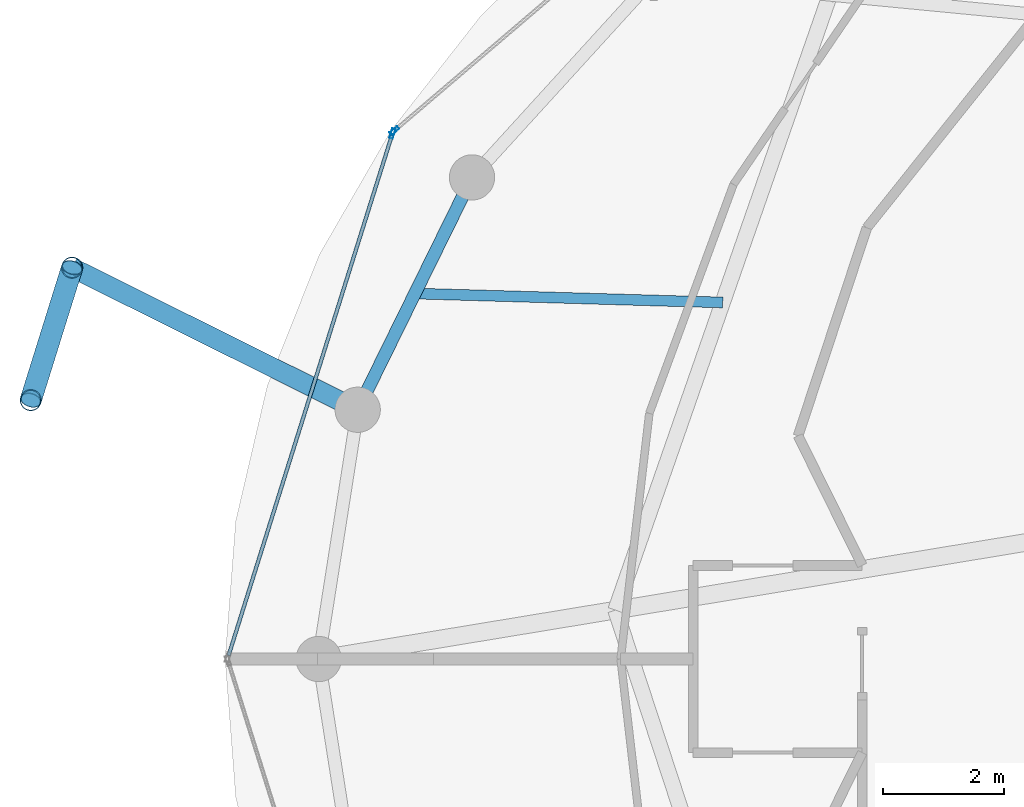
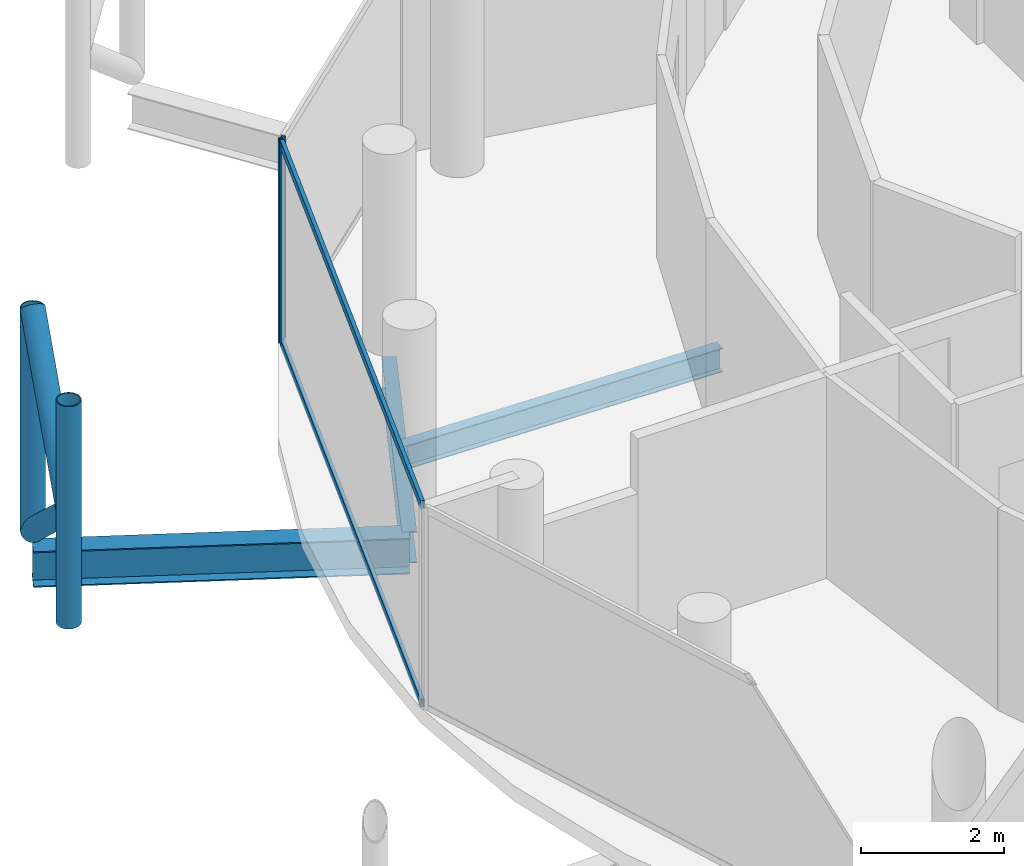
# One storey, part 7 of 24: 8 members, 3 beams, 2 elements without a shape of their own.
"""IFC4 building model written with IfcOpenShell, lengths in metres."""

from ifc_helpers import new_model, si_unit, direction, frame, origin, origin_2d, place, context, subcontext, project, spatial, hollow_rectangle, hollow_circle, i_section, extrude, material, layer, layer_set, material_profile, profile_set, type_object, element, aggregate, save


model = new_model("IFC4")

# Units and contexts
model_context = context("Model", 3, precision=1e-05, world=origin(), true_north=direction((0.0, 1.0)))
body_context = subcontext(model_context, "Body", "Model", "MODEL_VIEW")
ifc_project = project(units=[si_unit("LENGTHUNIT", "METRE"), si_unit("AREAUNIT", "SQUARE_METRE"), si_unit("VOLUMEUNIT", "CUBIC_METRE"), si_unit("PLANEANGLEUNIT", "RADIAN"), si_unit("MASSUNIT", "GRAM", prefix="KILO")], contexts=[model_context])

# Site, building, storey
site_placement = place(None, origin())
site = spatial("IfcSite", under=ifc_project, at=site_placement, CompositionType="ELEMENT")
building_placement = place(site_placement, origin())
building = spatial("IfcBuilding", under=site, at=building_placement, Name="Nuhasar Tower", CompositionType="ELEMENT")
storey_placement = place(building_placement, frame((0.0, 0.0, 297.39990234375)))
storey = spatial("IfcBuildingStorey", under=building, at=storey_placement, Name="L74", CompositionType="ELEMENT", Elevation=297.39990234375)

# Beams
ifc_material_1 = material(Name="Steel S355", Category="steel")
ifc_material_profile_1 = material_profile(ifc_material_1, i_section(OverallWidth=0.177978515625, OverallDepth=0.406005859375, WebThickness=0.0078125, FlangeThickness=0.0126953125, at=origin_2d()), Name="W16X40")
ifc_profile_set_1 = profile_set([ifc_material_profile_1], Name="Steel S355")
beam_type_1 = type_object("IfcBeamType", Name="BM-JST-W16X40", PredefinedType="JOIST", material=ifc_profile_set_1)
beam_1_placement = place(storey_placement, frame((26.739990234375, 32.7041015625, -0.462890625), z_axis=(-0.999579139243, 0.02900938453, 0.0), x_axis=(-0.02900938453, -0.999579139243, 0.0)))
element("IfcBeam", 1, at=beam_1_placement, inside=storey, type_object=beam_type_1, Name="L74 Secondary Floor Joist 07", PredefinedType="JOIST", context=body_context, shape_type="SweptSolid", body=[
    extrude(i_section(OverallWidth=0.177978515625, OverallDepth=0.406005859375, WebThickness=0.0078125, FlangeThickness=0.0126953125, at=origin_2d()), origin(), (0.0, 0.0, 1.0), 5.10009765625),
])
ifc_material_profile_2 = material_profile(ifc_material_1, i_section(OverallWidth=0.2099609375, OverallDepth=0.537109375, WebThickness=0.010986328125, FlangeThickness=0.017333984375, at=origin_2d()), Name="W21X68")
ifc_profile_set_2 = profile_set([ifc_material_profile_2], Name="Steel S355")
beam_type_2 = type_object("IfcBeamType", Name="BM-RING-W21X68", PredefinedType="SPANDREL", material=ifc_profile_set_2)
beam_2_placement = place(storey_placement, frame((22.589111328125, 34.77490234375, -0.52880859375), z_axis=(-0.441533119295, -0.897244952377, 0.0), x_axis=(0.897244952377, -0.441533119295, 0.0)))
element("IfcBeam", 2, at=beam_2_placement, inside=storey, type_object=beam_type_2, Name="L74 Perimeter Ring Spandrel 11", PredefinedType="SPANDREL", context=body_context, shape_type="SweptSolid", body=[
    extrude(i_section(OverallWidth=0.2099609375, OverallDepth=0.537109375, WebThickness=0.010986328125, FlangeThickness=0.017333984375, at=origin_2d()), origin(), (0.0, 0.0, 1.0), 4.28759765625),
])
ifc_material_profile_3 = material_profile(ifc_material_1, i_section(OverallWidth=0.323974609375, OverallDepth=0.611083984375, WebThickness=0.0126953125, FlangeThickness=0.01904296875, at=origin_2d()), Name="W24X104")
ifc_profile_set_3 = profile_set([ifc_material_profile_3], Name="Steel S355")
beam_type_3 = type_object("IfcBeamType", Name="BM-TIE-W24X104", PredefinedType="BEAM", material=ifc_profile_set_3)
beam_3_placement = place(storey_placement, frame((20.696044921875, 30.927978515625, -0.56591796875), z_axis=(-0.895294451274, 0.445474853969, 0.0), x_axis=(-0.445474853969, -0.895294451274, 0.0)))
element("IfcBeam", 3, at=beam_3_placement, inside=storey, type_object=beam_type_3, Name="L74 Exoskeleton Node Tie Beam 06", PredefinedType="BEAM", context=body_context, shape_type="SweptSolid", body=[
    extrude(i_section(OverallWidth=0.323974609375, OverallDepth=0.611083984375, WebThickness=0.0126953125, FlangeThickness=0.01904296875, at=origin_2d()), origin(), (0.0, 0.0, 1.0), 5.281982421875),
])

# Curtain wall, member
ifc_material_2 = material(Name="Aluminium 6063-T6", Category="aluminium")
ifc_layer = layer(ifc_material_2, 0.18994140625)
ifc_layer_set = layer_set([ifc_layer], Name="Aluminium 6063-T6")
curtain_wall_type = type_object("IfcCurtainWallType", Name="CW-Z4-PEN", PredefinedType="NOTDEFINED", material=ifc_layer_set)
curtain_wall_1_placement = place(storey_placement, origin())
curtain_wall_1 = element("IfcCurtainWall", 4, at=curtain_wall_1_placement, inside=storey, type_object=curtain_wall_type, Name="L74 Unitised Curtain Wall 05", PredefinedType="NOTDEFINED")
ifc_material_profile_4 = material_profile(ifc_material_2, hollow_rectangle(XDim=0.06005859375, YDim=0.1650390625, WallThickness=0.0048828125, at=origin_2d()), Name="CWM-5")
ifc_profile_set_4 = profile_set([ifc_material_profile_4], Name="Aluminium 6063-T6")
member_type_1 = type_object("IfcMemberType", Name="CW-MUL-S5", PredefinedType="MULLION", material=ifc_profile_set_4)
member_1_placement = place(storey_placement, frame((21.3037109375, 35.549560546875, 0.0), z_axis=(0.0, 0.0, 1.0), x_axis=(0.649141996205, -0.760667252327, 0.0)))
member_1 = element("IfcMember", 5, at=member_1_placement, type_object=member_type_1, Name="CW-Z4 mullion 2", PredefinedType="MULLION", context=body_context, shape_type="SweptSolid", body=[
    extrude(hollow_rectangle(XDim=0.06005859375, YDim=0.1650390625, WallThickness=0.0048828125, at=origin_2d()), origin(), (0.0, 0.0, 1.0), 3.4501953125),
])
aggregate(curtain_wall_1, [member_1])

# Curtain wall, members
curtain_wall_2_placement = place(storey_placement, origin())
curtain_wall_2 = element("IfcCurtainWall", 6, at=curtain_wall_2_placement, inside=storey, type_object=curtain_wall_type, Name="L74 Unitised Curtain Wall 06", PredefinedType="NOTDEFINED")
member_2_placement = place(storey_placement, frame((21.27197265625, 35.50146484375, 0.0), z_axis=(0.0, 0.0, 1.0), x_axis=(0.954078526601, -0.299556614146, 0.0)))
member_2 = element("IfcMember", 7, at=member_2_placement, type_object=member_type_1, Name="CW-Z4 mullion 1", PredefinedType="MULLION", context=body_context, shape_type="SweptSolid", body=[
    extrude(hollow_rectangle(XDim=0.06005859375, YDim=0.1650390625, WallThickness=0.0048828125, at=origin_2d()), origin(), (0.0, 0.0, 1.0), 3.4501953125),
])
ifc_material_profile_5 = material_profile(ifc_material_2, hollow_rectangle(XDim=0.06005859375, YDim=0.135009765625, WallThickness=0.00439453125, at=origin_2d()), Name="CWT-5")
ifc_profile_set_5 = profile_set([ifc_material_profile_5], Name="Aluminium 6063-T6")
member_type_2 = type_object("IfcMemberType", Name="CW-TRN-S5", PredefinedType="USERDEFINED", material=ifc_profile_set_5)
member_3_placement = place(storey_placement, frame((21.262939453125, 35.47265625, 0.030029296875), z_axis=(-0.29956014073, -0.954077419335, 0.0), x_axis=(0.954077419335, -0.29956014073, 0.0)))
member_3 = element("IfcMember", 8, at=member_3_placement, type_object=member_type_2, Name="CW-Z4 transom 1.1", ObjectType="TRANSOM", PredefinedType="USERDEFINED", context=body_context, shape_type="SweptSolid", body=[
    extrude(hollow_rectangle(XDim=0.06005859375, YDim=0.135009765625, WallThickness=0.00439453125, at=origin_2d()), origin(), (0.0, 0.0, 1.0), 9.0302734375),
])
member_4_placement = place(storey_placement, frame((21.262939453125, 35.47265625, 3.420166015625), z_axis=(-0.29956014073, -0.954077419335, 0.0), x_axis=(0.954077419335, -0.29956014073, 0.0)))
member_4 = element("IfcMember", 9, at=member_4_placement, type_object=member_type_2, Name="CW-Z4 transom 1.2", ObjectType="TRANSOM", PredefinedType="USERDEFINED", context=body_context, shape_type="SweptSolid", body=[
    extrude(hollow_rectangle(XDim=0.06005859375, YDim=0.135009765625, WallThickness=0.00439453125, at=origin_2d()), origin(), (0.0, 0.0, 1.0), 9.0302734375),
])
aggregate(curtain_wall_2, [member_2, member_3, member_4])

# Members
ifc_material_3 = material(Name="Steel S460", Category="steel")
ifc_material_profile_6 = material_profile(ifc_material_3, hollow_circle(Radius=0.177734375, WallThickness=0.015869140625, at=origin_2d()), Name="HSS355.6X15.9")
ifc_profile_set_6 = profile_set([ifc_material_profile_6], Name="Steel S460")
member_type_3 = type_object("IfcMemberType", Name="EXO-BRONZE-356", PredefinedType="BRACE", material=ifc_profile_set_6)
for number, where, z_axis, x_axis, name in (
    (10, (15.967041015625, 33.281005859375, 0.0), (0.0, 0.0, 1.0), (1.0, 0.0, 0.0), "L74 Exoskeleton Chord Column EC-06A"),
    (11, (15.281982421875, 31.0859375, 0.0), (0.0, 0.0, 1.0), (1.0, 0.0, 0.0), "L74 Exoskeleton Chord Column EC-06B"),
):
    element("IfcMember", number, at=place(storey_placement, frame(where, z_axis=z_axis, x_axis=x_axis)), inside=storey, type_object=member_type_3, Name=name, PredefinedType="BRACE", context=body_context, shape_type="SweptSolid", body=[
        extrude(hollow_circle(Radius=0.177734375, WallThickness=0.015869140625, at=origin_2d()), origin(), (0.0, 0.0, 1.0), 3.800048828125),
    ])
for number, where, z_axis, x_axis, name in (
    (12, (15.967041015625, 33.281005859375, 0.0), (-0.22965555433, -0.735863538482, 0.636995430987), (0.954591372974, -0.297918295247, 0.0), "L74 Bronze Diagrid Brace W1-06"),
    (13, (15.281982421875, 31.0859375, 1.900146484375), (0.229667527485, 0.735901902929, 0.636946792192), (-0.954591372974, 0.297918295247, 0.0), "L74 Bronze Diagrid Brace W2-06"),
):
    element("IfcMember", number, at=place(storey_placement, frame(where, z_axis=z_axis, x_axis=x_axis)), inside=storey, type_object=member_type_3, Name=name, PredefinedType="BRACE", context=body_context, shape_type="SweptSolid", body=[
        extrude(hollow_circle(Radius=0.177734375, WallThickness=0.015869140625, at=origin_2d()), origin(), (0.0, 0.0, 1.0), 2.98291015625),
    ])

save(model, "model.ifc")
